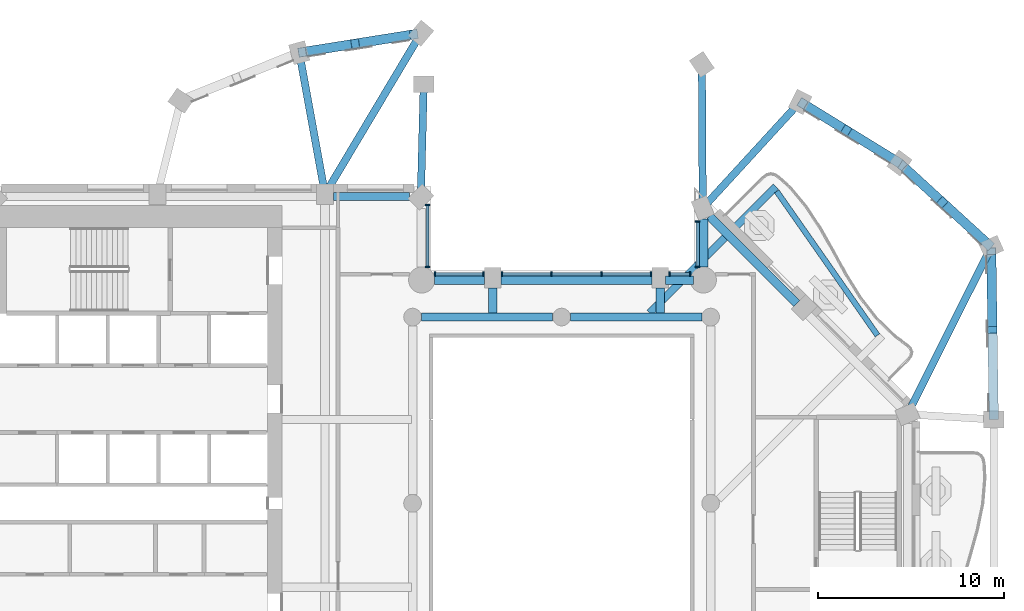
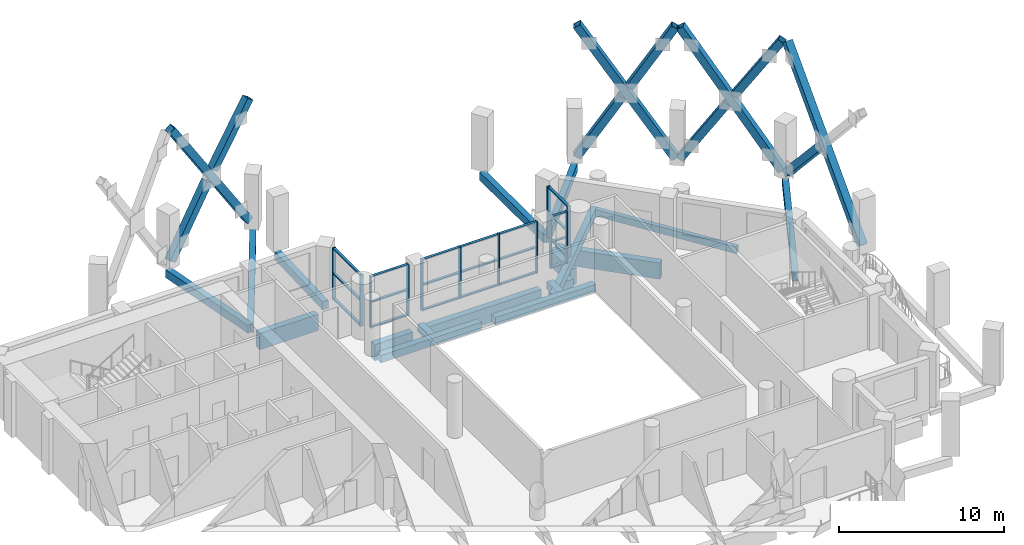
# One storey, part 2 of 16: 44 members, 18 beams, 5 elements without a shape of their own.
"""IFC4 building model written with IfcOpenShell, lengths in metres."""

import ifcopenshell
import ifcopenshell.guid

model = None  # the IFC model being written
_history = None  # IfcOwnerHistory: only IFC2X3 demands one
_inside = {}  # id of a spatial element -> (the spatial element, [elements in it])
_under = {}  # id of a project, library or spatial element -> (it, [spatial elements below it])
_declared = {}  # id of a project -> (the project, [libraries it declares])
_typed = {}  # id of a type object -> (the type object, [elements of that type])
_made_of = {}  # id of a material, layer set ... -> (it, [elements and type objects made of it])


def new_model(schema):
    """Start an empty IFC model of exactly this schema.

    Asked for "IFC4X3", IfcOpenShell would pick the latest addendum, in which some entities
    have other attributes; the version numbers below select the first issue.
    IFC2X3 requires an IfcOwnerHistory on every rooted entity: one is made here for all.
    """
    global model, _history
    if schema == "IFC4X3":
        model = ifcopenshell.file(schema_version=(4, 3, 0, 0))
    else:
        model = ifcopenshell.file(schema=schema)
    _inside.clear()
    _under.clear()
    _declared.clear()
    _typed.clear()
    _made_of.clear()
    _history = None
    if model.schema == "IFC2X3":
        org = make("IfcOrganization", Name="unknown")
        user = make(
            "IfcPersonAndOrganization",
            ThePerson=make("IfcPerson", FamilyName="unknown"),
            TheOrganization=org,
        )
        app = make(
            "IfcApplication",
            ApplicationDeveloper=org,
            Version="unknown",
            ApplicationFullName="unknown",
            ApplicationIdentifier="unknown",
        )
        _history = make(
            "IfcOwnerHistory",
            OwningUser=user,
            OwningApplication=app,
            ChangeAction="ADDED",
            CreationDate=0,
        )
    return model


def make(cls, **values):
    """One entity of the class cls with the attributes given. An attribute that is None is left unset."""
    return model.create_entity(
        cls, **{name: value for name, value in values.items() if value is not None}
    )


def rooted(cls, **values):
    """An entity with a GlobalId (a new one), such as an element, a storey or a relation."""
    return make(cls, GlobalId=ifcopenshell.guid.new(), OwnerHistory=_history, **values)


def si_unit(unit_type, name, prefix=None):
    """IfcSIUnit, for example si_unit("LENGTHUNIT", "METRE", prefix="MILLI")."""
    return make("IfcSIUnit", UnitType=unit_type, Prefix=prefix, Name=name)


def assignment(units):
    """IfcUnitAssignment: the units of a project."""
    return None if units is None else make("IfcUnitAssignment", Units=units)


def point(xyz):
    """IfcCartesianPoint."""
    return None if xyz is None else make("IfcCartesianPoint", Coordinates=xyz)


def direction(xyz):
    """IfcDirection."""
    return None if xyz is None else make("IfcDirection", DirectionRatios=xyz)


def frame(location, z_axis=None, x_axis=None):
    """IfcAxis2Placement3D, a coordinate frame: its origin and axes. An axis left out is left unset."""
    return make(
        "IfcAxis2Placement3D",
        Location=point(location),
        Axis=direction(z_axis),
        RefDirection=direction(x_axis),
    )


def frame_2d(location, x_axis=None):
    """IfcAxis2Placement2D, a coordinate frame in the plane: its origin and x axis."""
    return make(
        "IfcAxis2Placement2D", Location=point(location), RefDirection=direction(x_axis)
    )


def origin():
    """The frame at (0, 0, 0) with its axes left unset."""
    return frame((0.0, 0.0, 0.0))


def origin_2d():
    """The frame at (0, 0) in the plane with its x axis left unset."""
    return frame_2d((0.0, 0.0))


def place(relative_to, where):
    """IfcLocalPlacement: puts the frame where relative to a parent placement (None: the world)."""
    return make(
        "IfcLocalPlacement", PlacementRelTo=relative_to, RelativePlacement=where
    )


def context(
    kind, dimensions, precision=None, world=None, true_north=None, identifier=None
):
    """IfcGeometricRepresentationContext, for example the 3D "Model" context."""
    return make(
        "IfcGeometricRepresentationContext",
        ContextIdentifier=identifier,
        ContextType=kind,
        CoordinateSpaceDimension=dimensions,
        Precision=precision,
        WorldCoordinateSystem=world,
        TrueNorth=true_north,
    )


def subcontext(parent, identifier, kind, view, scale=None):
    """IfcGeometricRepresentationSubContext, for example "Body" below "Model"."""
    return make(
        "IfcGeometricRepresentationSubContext",
        ContextIdentifier=identifier,
        ContextType=kind,
        ParentContext=parent,
        TargetScale=scale,
        TargetView=view,
    )


def project(units=None, contexts=None):
    """IfcProject with its units and contexts."""
    return rooted(
        "IfcProject",
        Name="project",
        RepresentationContexts=contexts,
        UnitsInContext=assignment(units),
    )


def spatial(cls, under=None, at=None, **own):
    """A site, building, storey or space (cls), placed at a placement, below another one or the project."""
    s = rooted(cls, ObjectPlacement=at, **own)
    if under is not None:
        _under.setdefault(under.id(), (under, []))[1].append(s)
    return s


def profile(cls, at=None, kind="AREA", **sizes):
    """A parametric profile (cls). Its sizes go by their IFC names, for example OverallWidth=200.0."""
    return make(cls, ProfileType=kind, Position=at, **sizes)


def rectangle(**sizes):
    """IfcRectangleProfileDef."""
    return profile("IfcRectangleProfileDef", **sizes)


def hollow_rectangle(**sizes):
    """IfcRectangleHollowProfileDef."""
    return profile("IfcRectangleHollowProfileDef", **sizes)


def extrude(swept, where, along, depth):
    """IfcExtrudedAreaSolid: the profile swept, set in the frame where, extruded along a direction by depth."""
    return make(
        "IfcExtrudedAreaSolid",
        SweptArea=swept,
        Position=where,
        ExtrudedDirection=direction(along),
        Depth=depth,
    )


def shape(context_of_items, identifier, shape_type, items):
    """IfcShapeRepresentation: the items that make up one representation, for example the "Body"."""
    return make(
        "IfcShapeRepresentation",
        ContextOfItems=context_of_items,
        RepresentationIdentifier=identifier,
        RepresentationType=shape_type,
        Items=items,
    )


def material(Name=None, Category=None):
    """IfcMaterial."""
    return make("IfcMaterial", Name=Name, Category=Category)


def material_profile(
    of_material, cross_section, Name=None, Category=None, Priority=None
):
    """IfcMaterialProfile: a cross section and its material."""
    return make(
        "IfcMaterialProfile",
        Name=Name,
        Material=of_material,
        Profile=cross_section,
        Priority=Priority,
        Category=Category,
    )


def profile_set(profiles, Name=None, composite=None):
    """IfcMaterialProfileSet."""
    return make(
        "IfcMaterialProfileSet",
        Name=Name,
        MaterialProfiles=profiles,
        CompositeProfile=composite,
    )


def made_of(thing, what):
    """Note that an element or type object is made of a material, layer set ...; save() writes the relation."""
    if what is not None:
        _made_of.setdefault(what.id(), (what, []))[1].append(thing)
    return thing


def type_object(cls, material=None, **own):
    """A type object (cls), such as IfcWallType, which elements share."""
    return made_of(rooted(cls, **own), material)


def element(
    cls,
    number,
    at=None,
    inside=None,
    cuts=None,
    type_object=None,
    material=None,
    context=None,
    identifier="Body",
    shape_type=None,
    held_by="IfcProductDefinitionShape",
    body=None,
    shapes=None,
    **own,
):
    """One element of the class cls, such as IfcWall. Its Tag is "e" and its number.

    at: its placement. inside: the storey or other place that contains it. cuts: it is an
    opening in that element (IfcRelVoidsElement). A single representation is given by context,
    identifier, shape_type and body (its items); several are given by shapes. held_by: the class
    of the entity that holds the representations. save() writes the other relations.
    """
    e = rooted(cls, Tag="e%d" % number, ObjectPlacement=at, **own)
    if body is not None:
        shapes = [shape(context, identifier, shape_type, body)]
    if shapes is not None:
        e.Representation = make(held_by, Representations=shapes)
    if inside is not None:
        _inside.setdefault(inside.id(), (inside, []))[1].append(e)
    if cuts is not None:
        rooted(
            "IfcRelVoidsElement", RelatingBuildingElement=cuts, RelatedOpeningElement=e
        )
    if type_object is not None:
        _typed.setdefault(type_object.id(), (type_object, []))[1].append(e)
    return made_of(e, material)


def aggregate(whole, parts):
    """IfcRelAggregates: a whole, such as a stair, and the parts it consists of."""
    return rooted("IfcRelAggregates", RelatingObject=whole, RelatedObjects=parts)


def save(model, path):
    """Write the relations noted so far, then the file.

    IfcRelAggregates (storeys below a building ...), IfcRelContainedInSpatialStructure (elements
    in a storey), IfcRelDefinesByType, IfcRelAssociatesMaterial and IfcRelDeclares: one each for
    every whole, place, type object, material and project.
    """
    for whole, parts in _under.values():
        aggregate(whole, parts)
    for where, things in _inside.values():
        rooted(
            "IfcRelContainedInSpatialStructure",
            RelatedElements=things,
            RelatingStructure=where,
        )
    for kind, things in _typed.values():
        rooted("IfcRelDefinesByType", RelatedObjects=things, RelatingType=kind)
    for what, things in _made_of.values():
        rooted("IfcRelAssociatesMaterial", RelatedObjects=things, RelatingMaterial=what)
    for by, libraries in _declared.values():
        rooted("IfcRelDeclares", RelatingContext=by, RelatedDefinitions=libraries)
    model.write(path)


model = new_model("IFC4")

# Units and contexts
model_context = context("Model", 3, precision=1e-05, world=origin(), true_north=direction((0.0, 1.0)))
body_context = subcontext(model_context, "Body", "Model", "MODEL_VIEW")
ifc_project = project(units=[si_unit("LENGTHUNIT", "METRE"), si_unit("AREAUNIT", "SQUARE_METRE"), si_unit("VOLUMEUNIT", "CUBIC_METRE"), si_unit("PLANEANGLEUNIT", "RADIAN"), si_unit("MASSUNIT", "GRAM", prefix="KILO")], contexts=[model_context])

# Site, building, storey
site_placement = place(None, origin())
site = spatial("IfcSite", under=ifc_project, at=site_placement, CompositionType="ELEMENT")
building_placement = place(site_placement, origin())
building = spatial("IfcBuilding", under=site, at=building_placement, Name="Cypress Arch Tower", CompositionType="ELEMENT")
storey_placement = place(building_placement, frame((0.0, 0.0, 230.199951171875)))
storey = spatial("IfcBuildingStorey", under=building, at=storey_placement, Name="L51", CompositionType="ELEMENT", Elevation=230.199951171875)

# Beams
ifc_material_1 = material(Name="Concrete C50/60", Category="concrete")
ifc_material_profile_1 = material_profile(ifc_material_1, rectangle(XDim=0.300048828125, YDim=0.5, at=origin_2d()), Name="RC 300x500")
ifc_profile_set_1 = profile_set([ifc_material_profile_1], Name="Concrete C50/60")
beam_type_1 = type_object("IfcBeamType", Name="Balcony edge beam RC 300x500 Concrete C50/60", PredefinedType="BEAM", material=ifc_profile_set_1)
beam_1_placement = place(storey_placement, frame((17.95849609375, 9.01708984375, -0.550048828125), z_axis=(-0.573354712253, 0.819307252462, 0.0), x_axis=(-0.819307252462, -0.573354712253, 0.0)))
element("IfcBeam", 1, at=beam_1_placement, inside=storey, type_object=beam_type_1, Name="Balcony edge beam L51 B05", PredefinedType="BEAM", context=body_context, shape_type="SweptSolid", body=[
    extrude(rectangle(XDim=0.300048828125, YDim=0.5, at=origin_2d()), origin(), (0.0, 0.0, 1.0), 9.43896484375),
])
ifc_material_2 = material(Name="Concrete C50/60", Category="concrete")
ifc_material_profile_2 = material_profile(ifc_material_2, rectangle(XDim=0.39990234375, YDim=0.64990234375, at=origin_2d()), Name="RC 400x650")
ifc_profile_set_2 = profile_set([ifc_material_profile_2], Name="Concrete C50/60")
beam_type_2 = type_object("IfcBeamType", Name="Cantilever beam RC 400x650 Concrete C50/60", PredefinedType="BEAM", material=ifc_profile_set_2)
beam_2_placement = place(storey_placement, frame((5.738037109375, 10.22509765625, -0.625), z_axis=(0.707119525179, 0.707094036965, 0.0), x_axis=(-0.707094036965, 0.707119525179, 0.0)))
element("IfcBeam", 2, at=beam_2_placement, inside=storey, type_object=beam_type_2, Name="Cantilever beam L51 B05 2", PredefinedType="BEAM", context=body_context, shape_type="SweptSolid", body=[
    extrude(rectangle(XDim=0.39990234375, YDim=0.64990234375, at=origin_2d()), origin(), (0.0, 0.0, 1.0), 9.57861328125),
])

# Members
ifc_material_3 = material(Name="Steel ASTM A500 Grade C", Category="steel")
ifc_material_profile_3 = material_profile(ifc_material_3, hollow_rectangle(XDim=0.508056640625, YDim=0.508056640625, WallThickness=0.017578125, at=origin_2d()), Name="HSS 20x20x3/4")
ifc_profile_set_3 = profile_set([ifc_material_profile_3], Name="Steel ASTM A500 Grade C")
member_type_1 = type_object("IfcMemberType", Name="Exoskeleton brace HSS 20x20x3/4 Steel ASTM A500 Grade C", PredefinedType="BRACE", material=ifc_profile_set_3)
member_1_placement = place(storey_placement, frame((-6.93701171875, 25.174560546875, 0.607177734375), z_axis=(-0.537374045321, -0.085818553953, 0.838966215775), x_axis=(0.157701497605, -0.987486829104, 0.0)))
element("IfcMember", 3, at=member_1_placement, inside=storey, type_object=member_type_1, Name="Exoskeleton brace L51 CQ02-CQ03a", PredefinedType="BRACE", context=body_context, shape_type="SweptSolid", body=[
    extrude(hollow_rectangle(XDim=0.508056640625, YDim=0.508056640625, WallThickness=0.017578125, at=origin_2d()), origin(), (0.0, 0.0, 1.0), 11.140380859375),
])
member_2_placement = place(storey_placement, frame((-6.93701171875, 25.174560546875, 9.593017578125), z_axis=(-0.552286885126, -0.088201483358, -0.828975086991), x_axis=(0.157703853353, -0.987486452888, 0.0)))
element("IfcMember", 4, at=member_2_placement, inside=storey, type_object=member_type_1, Name="Exoskeleton brace L51 CQ02-CQ03b1", PredefinedType="BRACE", context=body_context, shape_type="SweptSolid", body=[
    extrude(hollow_rectangle(XDim=0.508056640625, YDim=0.508056640625, WallThickness=0.017578125, at=origin_2d()), origin(), (0.0, 0.0, 1.0), 4.9296875),
])
member_3_placement = place(storey_placement, frame((-12.923583984375, 24.218505859375, 0.246337890625), z_axis=(0.523074798955, 0.083546357183, 0.848182032879), x_axis=(-0.157722466667, 0.987483480119, 0.0)))
element("IfcMember", 5, at=member_3_placement, inside=storey, type_object=member_type_1, Name="Exoskeleton brace L51 CQ02-CQ03b2", PredefinedType="BRACE", context=body_context, shape_type="SweptSolid", body=[
    extrude(hollow_rectangle(XDim=0.508056640625, YDim=0.508056640625, WallThickness=0.017578125, at=origin_2d()), origin(), (0.0, 0.0, 1.0), 5.432373046875),
])
member_4_placement = place(storey_placement, frame((24.197265625, 4.681884765625, 0.200439453125), z_axis=(-0.009876551134, 0.672105790186, 0.740389262845), x_axis=(-0.999892046921, -0.014693348984, 0.0)))
element("IfcMember", 6, at=member_4_placement, inside=storey, type_object=member_type_1, Name="Exoskeleton brace L51 CQ14-CQ15a", PredefinedType="BRACE", context=body_context, shape_type="SweptSolid", body=[
    extrude(hollow_rectangle(XDim=0.508056640625, YDim=0.508056640625, WallThickness=0.017578125, at=origin_2d()), origin(), (0.0, 0.0, 1.0), 13.17529296875),
])
member_5_placement = place(storey_placement, frame((24.067138671875, 13.537109375, 0.24462890625), z_axis=(0.009916980419, -0.673771316684, 0.738873376374), x_axis=(0.999891698787, 0.014717020675, 0.0)))
element("IfcMember", 7, at=member_5_placement, inside=storey, type_object=member_type_1, Name="Exoskeleton brace L51 CQ14-CQ15b2", PredefinedType="BRACE", context=body_context, shape_type="SweptSolid", body=[
    extrude(hollow_rectangle(XDim=0.508056640625, YDim=0.508056640625, WallThickness=0.017578125, at=origin_2d()), origin(), (0.0, 0.0, 1.0), 6.277587890625),
])
member_6_placement = place(storey_placement, frame((23.918212890625, 13.892578125, 0.302001953125), z_axis=(-0.404044554817, 0.369809946015, 0.83665321463), x_axis=(-0.675164671812, -0.737667042735, 0.0)))
element("IfcMember", 8, at=member_6_placement, inside=storey, type_object=member_type_1, Name="Exoskeleton brace L51 CQ15-CQ16a", PredefinedType="BRACE", context=body_context, shape_type="SweptSolid", body=[
    extrude(hollow_rectangle(XDim=0.508056640625, YDim=0.508056640625, WallThickness=0.017578125, at=origin_2d()), origin(), (0.0, 0.0, 1.0), 11.53857421875),
])
member_7_placement = place(storey_placement, frame((23.918212890625, 13.892578125, 9.898193359375), z_axis=(-0.405719385643, 0.37134955597, -0.835159438307), x_axis=(-0.675171287783, -0.737660987279, 0.0)))
element("IfcMember", 9, at=member_7_placement, inside=storey, type_object=member_type_1, Name="Exoskeleton brace L51 CQ15-CQ16b1", PredefinedType="BRACE", context=body_context, shape_type="SweptSolid", body=[
    extrude(hollow_rectangle(XDim=0.508056640625, YDim=0.508056640625, WallThickness=0.017578125, at=origin_2d()), origin(), (0.0, 0.0, 1.0), 5.341796875),
])
member_8_placement = place(storey_placement, frame((19.256103515625, 18.15966796875, 0.244140625), z_axis=(0.402348521797, -0.368264162912, 0.838151044456), x_axis=(0.67517120176, 0.737661066014, 0.0)))
element("IfcMember", 10, at=member_8_placement, inside=storey, type_object=member_type_1, Name="Exoskeleton brace L51 CQ15-CQ16b2", PredefinedType="BRACE", context=body_context, shape_type="SweptSolid", body=[
    extrude(hollow_rectangle(XDim=0.508056640625, YDim=0.508056640625, WallThickness=0.017578125, at=origin_2d()), origin(), (0.0, 0.0, 1.0), 5.42236328125),
])
member_9_placement = place(storey_placement, frame((19.006103515625, 18.348876953125, 0.2529296875), z_axis=(-0.445732910596, 0.274156857625, 0.852150332881), x_axis=(-0.523902922449, -0.851777980373, 0.0)))
element("IfcMember", 11, at=member_9_placement, inside=storey, type_object=member_type_1, Name="Exoskeleton brace L51 CQ16-CQ17a", PredefinedType="BRACE", context=body_context, shape_type="SweptSolid", body=[
    extrude(hollow_rectangle(XDim=0.508056640625, YDim=0.508056640625, WallThickness=0.017578125, at=origin_2d()), origin(), (0.0, 0.0, 1.0), 11.376220703125),
])
for number, where, z_axis, x_axis, name in (
    (12, (19.006103515625, 18.348876953125, 9.947265625), (-0.445740318857, 0.27417356961, -0.852141080968), (-0.52391977471, -0.851767614827, 0.0), "Exoskeleton brace L51 CQ16-CQ17b1"),
    (13, (13.935302734375, 21.4677734375, 0.252685546875), (0.445728395097, -0.274119954746, 0.852164566392), (0.523855606168, 0.851807081378, 0.0), "Exoskeleton brace L51 CQ16-CQ17b2"),
):
    element("IfcMember", number, at=place(storey_placement, frame(where, z_axis=z_axis, x_axis=x_axis)), inside=storey, type_object=member_type_1, Name=name, PredefinedType="BRACE", context=body_context, shape_type="SweptSolid", body=[
        extrude(hollow_rectangle(XDim=0.508056640625, YDim=0.508056640625, WallThickness=0.017578125, at=origin_2d()), origin(), (0.0, 0.0, 1.0), 5.275146484375),
    ])

# Beams
ifc_material_4 = material(Name="Concrete C50/60", Category="concrete")
ifc_material_profile_4 = material_profile(ifc_material_4, rectangle(XDim=0.449951171875, YDim=0.550048828125, at=origin_2d()), Name="RC 450x550")
ifc_profile_set_4 = profile_set([ifc_material_profile_4], Name="Concrete C50/60")
beam_type_3 = type_object("IfcBeamType", Name="Floor beam RC 450x550 Concrete C50/60", PredefinedType="BEAM", material=ifc_profile_set_4)
for number, where, z_axis, x_axis, name in (
    (14, (-6.52490234375, 10.0, -0.574951171875), (1.0, 0.0, 0.0), (0.0, 1.0, 0.0), "Floor beam L51 RB007"),
    (15, (1.47509765625, 10.0, -0.574951171875), (1.0, 0.0, 0.0), (0.0, 1.0, 0.0), "Floor beam L51 RB008"),
):
    element("IfcBeam", number, at=place(storey_placement, frame(where, z_axis=z_axis, x_axis=x_axis)), inside=storey, type_object=beam_type_3, Name=name, PredefinedType="BEAM", context=body_context, shape_type="SweptSolid", body=[
        extrude(rectangle(XDim=0.449951171875, YDim=0.550048828125, at=origin_2d()), origin(), (0.0, 0.0, 1.0), 7.0498046875),
    ])
for number, where, z_axis, x_axis, name in (
    (16, (-2.699951171875, 10.22509765625, -0.574951171875), (0.0, 1.0, 0.0), (-1.0, 0.0, 0.0), "Floor beam L51 FB015"),
    (17, (6.300048828125, 10.22509765625, -0.574951171875), (0.0, 1.0, 0.0), (-1.0, 0.0, 0.0), "Floor beam L51 FB017"),
):
    element("IfcBeam", number, at=place(storey_placement, frame(where, z_axis=z_axis, x_axis=x_axis)), inside=storey, type_object=beam_type_3, Name=name, PredefinedType="BEAM", context=body_context, shape_type="SweptSolid", body=[
        extrude(rectangle(XDim=0.449951171875, YDim=0.550048828125, at=origin_2d()), origin(), (0.0, 0.0, 1.0), 1.324951171875),
    ])

# Curtain wall, members
ifc_material_5 = material(Name="Anodised aluminium, bronze finish, clear laminated double glazing", Category="aluminium")
curtain_wall_type = type_object("IfcCurtainWallType", Name="Curtain wall CW7 slot glazing", PredefinedType="NOTDEFINED", material=ifc_material_5)
curtain_wall_1_placement = place(storey_placement, origin())
curtain_wall_1 = element("IfcCurtainWall", 18, at=curtain_wall_1_placement, inside=storey, type_object=curtain_wall_type, Name="Curtain wall L51 slot B06.0", PredefinedType="NOTDEFINED")
ifc_material_6 = material(Name="Anodised aluminium, bronze finish", Category="aluminium")
ifc_material_profile_5 = material_profile(ifc_material_6, rectangle(XDim=0.239990234375, YDim=0.0849609375, at=origin_2d()), Name="Mullion 85x240")
ifc_profile_set_5 = profile_set([ifc_material_profile_5], Name="Anodised aluminium, bronze finish")
member_type_2 = type_object("IfcMemberType", Name="Mullion CW7 85x240", PredefinedType="MULLION", material=ifc_profile_set_5)
member_10_placement = place(storey_placement, frame((8.300048828125, 15.12744140625, 0.0), z_axis=(0.0, 0.0, 1.0), x_axis=(1.0, 0.0, 0.0)))
member_10 = element("IfcMember", 19, at=member_10_placement, type_object=member_type_2, Name="CW7 mullion 1", PredefinedType="MULLION", context=body_context, shape_type="SweptSolid", body=[
    extrude(rectangle(XDim=0.239990234375, YDim=0.0849609375, at=origin_2d()), origin(), (0.0, 0.0, 1.0), 3.800048828125),
])
member_11_placement = place(storey_placement, frame((8.300048828125, 12.697021484375, 0.0), z_axis=(0.0, 0.0, 1.0), x_axis=(1.0, 0.0, 0.0)))
member_11 = element("IfcMember", 20, at=member_11_placement, type_object=member_type_2, Name="CW7 mullion 2", PredefinedType="MULLION", context=body_context, shape_type="SweptSolid", body=[
    extrude(rectangle(XDim=0.239990234375, YDim=0.0849609375, at=origin_2d()), origin(), (0.0, 0.0, 1.0), 3.800048828125),
])

curtain_wall_2_placement = place(storey_placement, origin())
curtain_wall_2 = element("IfcCurtainWall", 21, at=curtain_wall_2_placement, inside=storey, type_object=curtain_wall_type, Name="Curtain wall L51 slot B07.0", PredefinedType="NOTDEFINED")
member_12_placement = place(storey_placement, frame((7.903076171875, 12.300048828125, 0.0), z_axis=(0.0, 0.0, 1.0), x_axis=(0.0, -1.0, 0.0)))
member_12 = element("IfcMember", 22, at=member_12_placement, type_object=member_type_2, Name="CW7 mullion 1", PredefinedType="MULLION", context=body_context, shape_type="SweptSolid", body=[
    extrude(rectangle(XDim=0.239990234375, YDim=0.0849609375, at=origin_2d()), origin(), (0.0, 0.0, 1.0), 3.800048828125),
])
member_13_placement = place(storey_placement, frame((6.79248046875, 12.300048828125, 0.0), z_axis=(0.0, 0.0, 1.0), x_axis=(0.0, -1.0, 0.0)))
member_13 = element("IfcMember", 23, at=member_13_placement, type_object=member_type_2, Name="CW7 mullion 2", PredefinedType="MULLION", context=body_context, shape_type="SweptSolid", body=[
    extrude(rectangle(XDim=0.239990234375, YDim=0.0849609375, at=origin_2d()), origin(), (0.0, 0.0, 1.0), 3.800048828125),
])

curtain_wall_3_placement = place(storey_placement, origin())
curtain_wall_3 = element("IfcCurtainWall", 24, at=curtain_wall_3_placement, inside=storey, type_object=curtain_wall_type, Name="Curtain wall L51 slot B07.1", PredefinedType="NOTDEFINED")
member_14_placement = place(storey_placement, frame((5.8076171875, 12.300048828125, 0.0), z_axis=(0.0, 0.0, 1.0), x_axis=(0.0, -1.0, 0.0)))
member_14 = element("IfcMember", 25, at=member_14_placement, type_object=member_type_2, Name="CW7 mullion 1", PredefinedType="MULLION", context=body_context, shape_type="SweptSolid", body=[
    extrude(rectangle(XDim=0.239990234375, YDim=0.0849609375, at=origin_2d()), origin(), (0.0, 0.0, 1.0), 3.800048828125),
])
member_15_placement = place(storey_placement, frame((3.14990234375, 12.300048828125, 0.0), z_axis=(0.0, 0.0, 1.0), x_axis=(0.0, -1.0, 0.0)))
member_15 = element("IfcMember", 26, at=member_15_placement, type_object=member_type_2, Name="CW7 mullion 2", PredefinedType="MULLION", context=body_context, shape_type="SweptSolid", body=[
    extrude(rectangle(XDim=0.239990234375, YDim=0.0849609375, at=origin_2d()), origin(), (0.0, 0.0, 1.0), 3.800048828125),
])
member_16_placement = place(storey_placement, frame((0.449951171875, 12.300048828125, 0.0), z_axis=(0.0, 0.0, 1.0), x_axis=(0.0, -1.0, 0.0)))
member_16 = element("IfcMember", 27, at=member_16_placement, type_object=member_type_2, Name="CW7 mullion 3", PredefinedType="MULLION", context=body_context, shape_type="SweptSolid", body=[
    extrude(rectangle(XDim=0.239990234375, YDim=0.0849609375, at=origin_2d()), origin(), (0.0, 0.0, 1.0), 3.800048828125),
])
member_17_placement = place(storey_placement, frame((-2.20751953125, 12.300048828125, 0.0), z_axis=(0.0, 0.0, 1.0), x_axis=(0.0, -1.0, 0.0)))
member_17 = element("IfcMember", 28, at=member_17_placement, type_object=member_type_2, Name="CW7 mullion 4", PredefinedType="MULLION", context=body_context, shape_type="SweptSolid", body=[
    extrude(rectangle(XDim=0.239990234375, YDim=0.0849609375, at=origin_2d()), origin(), (0.0, 0.0, 1.0), 3.800048828125),
])

curtain_wall_4_placement = place(storey_placement, origin())
curtain_wall_4 = element("IfcCurtainWall", 29, at=curtain_wall_4_placement, inside=storey, type_object=curtain_wall_type, Name="Curtain wall L51 slot B07.2", PredefinedType="NOTDEFINED")
member_18_placement = place(storey_placement, frame((-3.1923828125, 12.300048828125, 0.0), z_axis=(0.0, 0.0, 1.0), x_axis=(0.0, -1.0, 0.0)))
member_18 = element("IfcMember", 30, at=member_18_placement, type_object=member_type_2, Name="CW7 mullion 1", PredefinedType="MULLION", context=body_context, shape_type="SweptSolid", body=[
    extrude(rectangle(XDim=0.239990234375, YDim=0.0849609375, at=origin_2d()), origin(), (0.0, 0.0, 1.0), 3.800048828125),
])
member_19_placement = place(storey_placement, frame((-5.802978515625, 12.300048828125, 0.0), z_axis=(0.0, 0.0, 1.0), x_axis=(0.0, -1.0, 0.0)))
member_19 = element("IfcMember", 31, at=member_19_placement, type_object=member_type_2, Name="CW7 mullion 2", PredefinedType="MULLION", context=body_context, shape_type="SweptSolid", body=[
    extrude(rectangle(XDim=0.239990234375, YDim=0.0849609375, at=origin_2d()), origin(), (0.0, 0.0, 1.0), 3.800048828125),
])

curtain_wall_5_placement = place(storey_placement, origin())
curtain_wall_5 = element("IfcCurtainWall", 32, at=curtain_wall_5_placement, inside=storey, type_object=curtain_wall_type, Name="Curtain wall L51 slot B08.0", PredefinedType="NOTDEFINED")
member_20_placement = place(storey_placement, frame((-6.199951171875, 12.697021484375, 0.0), z_axis=(0.0, 0.0, 1.0), x_axis=(-1.0, 0.0, 0.0)))
member_20 = element("IfcMember", 33, at=member_20_placement, type_object=member_type_2, Name="CW7 mullion 1", PredefinedType="MULLION", context=body_context, shape_type="SweptSolid", body=[
    extrude(rectangle(XDim=0.239990234375, YDim=0.0849609375, at=origin_2d()), origin(), (0.0, 0.0, 1.0), 3.800048828125),
])
member_21_placement = place(storey_placement, frame((-6.199951171875, 16.02099609375, 0.0), z_axis=(0.0, 0.0, 1.0), x_axis=(-1.0, 0.0, 0.0)))
member_21 = element("IfcMember", 34, at=member_21_placement, type_object=member_type_2, Name="CW7 mullion 2", PredefinedType="MULLION", context=body_context, shape_type="SweptSolid", body=[
    extrude(rectangle(XDim=0.239990234375, YDim=0.0849609375, at=origin_2d()), origin(), (0.0, 0.0, 1.0), 3.800048828125),
])

# Beams
ifc_material_7 = material(Name="Concrete C50/60", Category="concrete")
ifc_material_profile_6 = material_profile(ifc_material_7, rectangle(XDim=0.39990234375, YDim=0.60009765625, at=origin_2d()), Name="RC 400x600")
ifc_profile_set_6 = profile_set([ifc_material_profile_6], Name="Concrete C50/60")
beam_type_4 = type_object("IfcBeamType", Name="Pilotis tie beam RC 400x600 Concrete C50/60", PredefinedType="BEAM", material=ifc_profile_set_6)
beam_3_placement = place(storey_placement, frame((8.53076171875, 23.564697265625, -0.599853515625), z_axis=(0.005886346529, -0.999982675312, 0.0), x_axis=(0.999982675312, 0.005886346529, 0.0)))
element("IfcBeam", 35, at=beam_3_placement, inside=storey, type_object=beam_type_4, Name="Pilotis tie beam L51 CQ00-CB12", PredefinedType="BEAM", context=body_context, shape_type="SweptSolid", body=[
    extrude(rectangle(XDim=0.39990234375, YDim=0.60009765625, at=origin_2d()), origin(), (0.0, 0.0, 1.0), 7.714599609375),
])
beam_4_placement = place(storey_placement, frame((-6.39990234375, 22.5, -0.599853515625), z_axis=(-0.02594853496, -0.999663280077, 0.0), x_axis=(0.999663280077, -0.02594853496, 0.0)))
element("IfcBeam", 36, at=beam_4_placement, inside=storey, type_object=beam_type_4, Name="Pilotis tie beam L51 CQ01-CB17", PredefinedType="BEAM", context=body_context, shape_type="SweptSolid", body=[
    extrude(rectangle(XDim=0.39990234375, YDim=0.60009765625, at=origin_2d()), origin(), (0.0, 0.0, 1.0), 6.05908203125),
])
beam_5_placement = place(storey_placement, frame((-6.54833984375, 25.236572265625, -0.599853515625), z_axis=(-0.51228050024, -0.85881819326, 0.0), x_axis=(0.85881819326, -0.51228050024, 0.0)))
element("IfcBeam", 37, at=beam_5_placement, inside=storey, type_object=beam_type_4, Name="Pilotis tie beam L51 CQ02-CB18", PredefinedType="BEAM", context=body_context, shape_type="SweptSolid", body=[
    extrude(rectangle(XDim=0.39990234375, YDim=0.60009765625, at=origin_2d()), origin(), (0.0, 0.0, 1.0), 10.05615234375),
])
beam_6_placement = place(storey_placement, frame((-13.081298828125, 24.193359375, -0.599853515625), z_axis=(0.178980083609, -0.983852697141, 0.0), x_axis=(0.983852697141, 0.178980083609, 0.0)))
element("IfcBeam", 38, at=beam_6_placement, inside=storey, type_object=beam_type_4, Name="Pilotis tie beam L51 CQ03-CB18", PredefinedType="BEAM", context=body_context, shape_type="SweptSolid", body=[
    extrude(rectangle(XDim=0.39990234375, YDim=0.60009765625, at=origin_2d()), origin(), (0.0, 0.0, 1.0), 7.7177734375),
])
beam_7_placement = place(storey_placement, frame((24.06396484375, 13.75927734375, -0.599853515625), z_axis=(-0.447602582549, -0.894232591721, 0.0), x_axis=(0.894232591721, -0.447602582549, 0.0)))
element("IfcBeam", 39, at=beam_7_placement, inside=storey, type_object=beam_type_4, Name="Pilotis tie beam L51 CQ15-CB10", PredefinedType="BEAM", context=body_context, shape_type="SweptSolid", body=[
    extrude(rectangle(XDim=0.39990234375, YDim=0.60009765625, at=origin_2d()), origin(), (0.0, 0.0, 1.0), 10.041015625),
])
beam_8_placement = place(storey_placement, frame((13.80322265625, 21.549072265625, -0.599853515625), z_axis=(-0.675950483499, -0.736947042776, 0.0), x_axis=(0.736947042776, -0.675950483499, 0.0)))
element("IfcBeam", 40, at=beam_8_placement, inside=storey, type_object=beam_type_4, Name="Pilotis tie beam L51 CQ17-CB12", PredefinedType="BEAM", context=body_context, shape_type="SweptSolid", body=[
    extrude(rectangle(XDim=0.39990234375, YDim=0.60009765625, at=origin_2d()), origin(), (0.0, 0.0, 1.0), 7.73291015625),
])
ifc_material_8 = material(Name="Concrete C50/60", Category="concrete")
ifc_material_profile_7 = material_profile(ifc_material_8, rectangle(XDim=0.449951171875, YDim=1.199951171875, at=origin_2d()), Name="RC 450x1200")
ifc_profile_set_7 = profile_set([ifc_material_profile_7], Name="Concrete C50/60")
beam_type_5 = type_object("IfcBeamType", Name="Spandrel beam RC 450x1200 Concrete C50/60", PredefinedType="SPANDREL", material=ifc_profile_set_7)
beam_9_placement = place(storey_placement, frame((13.622802734375, 10.73486328125, -1.550048828125), z_axis=(-0.707106781187, 0.707106781187, 0.0), x_axis=(-0.707106781187, -0.707106781187, 0.0)))
element("IfcBeam", 41, at=beam_9_placement, inside=storey, type_object=beam_type_5, Name="Spandrel beam L51 BB05-1", PredefinedType="SPANDREL", context=body_context, shape_type="SweptSolid", body=[
    extrude(rectangle(XDim=0.449951171875, YDim=1.199951171875, at=origin_2d()), origin(), (0.0, 0.0, 1.0), 6.610595703125),
])
beam_10_placement = place(storey_placement, frame((8.625, 15.275146484375, -1.550048828125), z_axis=(0.0, -1.0, 0.0), x_axis=(1.0, 0.0, 0.0)))
element("IfcBeam", 42, at=beam_10_placement, inside=storey, type_object=beam_type_5, Name="Spandrel beam L51 BB06-0", PredefinedType="SPANDREL", context=body_context, shape_type="SweptSolid", body=[
    extrude(rectangle(XDim=0.449951171875, YDim=1.199951171875, at=origin_2d()), origin(), (0.0, 0.0, 1.0), 2.587646484375),
])
beam_11_placement = place(storey_placement, frame((8.081298828125, 11.97509765625, -1.550048828125), z_axis=(-1.0, 0.0, 0.0), x_axis=(0.0, -1.0, 0.0)))
element("IfcBeam", 43, at=beam_11_placement, inside=storey, type_object=beam_type_5, Name="Spandrel beam L51 BB07-0", PredefinedType="SPANDREL", context=body_context, shape_type="SweptSolid", body=[
    extrude(rectangle(XDim=0.449951171875, YDim=1.199951171875, at=origin_2d()), origin(), (0.0, 0.0, 1.0), 1.5),
])
beam_12_placement = place(storey_placement, frame((5.85009765625, 11.97509765625, -1.550048828125), z_axis=(-1.0, 0.0, 0.0), x_axis=(0.0, -1.0, 0.0)))
element("IfcBeam", 44, at=beam_12_placement, inside=storey, type_object=beam_type_5, Name="Spandrel beam L51 BB07-1", PredefinedType="SPANDREL", context=body_context, shape_type="SweptSolid", body=[
    extrude(rectangle(XDim=0.449951171875, YDim=1.199951171875, at=origin_2d()), origin(), (0.0, 0.0, 1.0), 8.10009765625),
])
beam_13_placement = place(storey_placement, frame((-3.14990234375, 11.97509765625, -1.550048828125), z_axis=(-1.0, 0.0, 0.0), x_axis=(0.0, -1.0, 0.0)))
element("IfcBeam", 45, at=beam_13_placement, inside=storey, type_object=beam_type_5, Name="Spandrel beam L51 BB07-2", PredefinedType="SPANDREL", context=body_context, shape_type="SweptSolid", body=[
    extrude(rectangle(XDim=0.449951171875, YDim=1.199951171875, at=origin_2d()), origin(), (0.0, 0.0, 1.0), 2.66259765625),
])
beam_14_placement = place(storey_placement, frame((-7.161376953125, 16.47509765625, -1.550048828125), z_axis=(-1.0, 0.0, 0.0), x_axis=(0.0, -1.0, 0.0)))
element("IfcBeam", 46, at=beam_14_placement, inside=storey, type_object=beam_type_5, Name="Spandrel beam L51 BB09-0", PredefinedType="SPANDREL", context=body_context, shape_type="SweptSolid", body=[
    extrude(rectangle(XDim=0.449951171875, YDim=1.199951171875, at=origin_2d()), origin(), (0.0, 0.0, 1.0), 4.088623046875),
])

# Member
ifc_material_9 = material(Name="Anodised aluminium, bronze finish", Category="aluminium")
ifc_material_profile_8 = material_profile(ifc_material_9, rectangle(XDim=0.179931640625, YDim=0.0849609375, at=origin_2d()), Name="Transom 85x180")
ifc_profile_set_8 = profile_set([ifc_material_profile_8], Name="Anodised aluminium, bronze finish")
member_type_3 = type_object("IfcMemberType", Name="Transom CW7 85x180", PredefinedType="USERDEFINED", material=ifc_profile_set_8)
member_22_placement = place(storey_placement, frame((8.300048828125, 15.0849609375, 0.04248046875), z_axis=(0.0, -1.0, 0.0), x_axis=(1.0, 0.0, 0.0)))
member_22 = element("IfcMember", 47, at=member_22_placement, type_object=member_type_3, Name="CW7 transom 1.1", ObjectType="TRANSOM", PredefinedType="USERDEFINED", context=body_context, shape_type="SweptSolid", body=[
    extrude(rectangle(XDim=0.179931640625, YDim=0.0849609375, at=origin_2d()), origin(), (0.0, 0.0, 1.0), 2.345458984375),
])

member_23_placement = place(storey_placement, frame((8.300048828125, 15.0849609375, 1.900146484375), z_axis=(0.0, -1.0, 0.0), x_axis=(1.0, 0.0, 0.0)))
member_23 = element("IfcMember", 48, at=member_23_placement, type_object=member_type_3, Name="CW7 transom 1.2", ObjectType="TRANSOM", PredefinedType="USERDEFINED", context=body_context, shape_type="SweptSolid", body=[
    extrude(rectangle(XDim=0.179931640625, YDim=0.0849609375, at=origin_2d()), origin(), (0.0, 0.0, 1.0), 2.345458984375),
])

member_24_placement = place(storey_placement, frame((8.300048828125, 15.0849609375, 3.757568359375), z_axis=(0.0, -1.0, 0.0), x_axis=(1.0, 0.0, 0.0)))
member_24 = element("IfcMember", 49, at=member_24_placement, type_object=member_type_3, Name="CW7 transom 1.3", ObjectType="TRANSOM", PredefinedType="USERDEFINED", context=body_context, shape_type="SweptSolid", body=[
    extrude(rectangle(XDim=0.179931640625, YDim=0.0849609375, at=origin_2d()), origin(), (0.0, 0.0, 1.0), 2.345458984375),
])

aggregate(curtain_wall_1, [member_10, member_11, member_22, member_23, member_24])

member_25_placement = place(storey_placement, frame((7.8603515625, 12.300048828125, 0.04248046875), z_axis=(-1.0, 0.0, 0.0), x_axis=(0.0, -1.0, 0.0)))
member_25 = element("IfcMember", 50, at=member_25_placement, type_object=member_type_3, Name="CW7 transom 1.1", ObjectType="TRANSOM", PredefinedType="USERDEFINED", context=body_context, shape_type="SweptSolid", body=[
    extrude(rectangle(XDim=0.179931640625, YDim=0.0849609375, at=origin_2d()), origin(), (0.0, 0.0, 1.0), 1.025390625),
])

member_26_placement = place(storey_placement, frame((7.8603515625, 12.300048828125, 1.900146484375), z_axis=(-1.0, 0.0, 0.0), x_axis=(0.0, -1.0, 0.0)))
member_26 = element("IfcMember", 51, at=member_26_placement, type_object=member_type_3, Name="CW7 transom 1.2", ObjectType="TRANSOM", PredefinedType="USERDEFINED", context=body_context, shape_type="SweptSolid", body=[
    extrude(rectangle(XDim=0.179931640625, YDim=0.0849609375, at=origin_2d()), origin(), (0.0, 0.0, 1.0), 1.025390625),
])

member_27_placement = place(storey_placement, frame((7.8603515625, 12.300048828125, 3.757568359375), z_axis=(-1.0, 0.0, 0.0), x_axis=(0.0, -1.0, 0.0)))
member_27 = element("IfcMember", 52, at=member_27_placement, type_object=member_type_3, Name="CW7 transom 1.3", ObjectType="TRANSOM", PredefinedType="USERDEFINED", context=body_context, shape_type="SweptSolid", body=[
    extrude(rectangle(XDim=0.179931640625, YDim=0.0849609375, at=origin_2d()), origin(), (0.0, 0.0, 1.0), 1.025390625),
])

aggregate(curtain_wall_2, [member_12, member_13, member_25, member_26, member_27])

member_28_placement = place(storey_placement, frame((5.764892578125, 12.300048828125, 0.04248046875), z_axis=(-1.0, 0.0, 0.0), x_axis=(0.0, -1.0, 0.0)))
member_28 = element("IfcMember", 53, at=member_28_placement, type_object=member_type_3, Name="CW7 transom 1.1", ObjectType="TRANSOM", PredefinedType="USERDEFINED", context=body_context, shape_type="SweptSolid", body=[
    extrude(rectangle(XDim=0.179931640625, YDim=0.0849609375, at=origin_2d()), origin(), (0.0, 0.0, 1.0), 2.572509765625),
])

member_29_placement = place(storey_placement, frame((5.764892578125, 12.300048828125, 1.900146484375), z_axis=(-1.0, 0.0, 0.0), x_axis=(0.0, -1.0, 0.0)))
member_29 = element("IfcMember", 54, at=member_29_placement, type_object=member_type_3, Name="CW7 transom 1.2", ObjectType="TRANSOM", PredefinedType="USERDEFINED", context=body_context, shape_type="SweptSolid", body=[
    extrude(rectangle(XDim=0.179931640625, YDim=0.0849609375, at=origin_2d()), origin(), (0.0, 0.0, 1.0), 2.572509765625),
])

member_30_placement = place(storey_placement, frame((5.764892578125, 12.300048828125, 3.757568359375), z_axis=(-1.0, 0.0, 0.0), x_axis=(0.0, -1.0, 0.0)))
member_30 = element("IfcMember", 55, at=member_30_placement, type_object=member_type_3, Name="CW7 transom 1.3", ObjectType="TRANSOM", PredefinedType="USERDEFINED", context=body_context, shape_type="SweptSolid", body=[
    extrude(rectangle(XDim=0.179931640625, YDim=0.0849609375, at=origin_2d()), origin(), (0.0, 0.0, 1.0), 2.572509765625),
])

member_31_placement = place(storey_placement, frame((3.107421875, 12.300048828125, 0.04248046875), z_axis=(-1.0, 0.0, 0.0), x_axis=(0.0, -1.0, 0.0)))
member_31 = element("IfcMember", 56, at=member_31_placement, type_object=member_type_3, Name="CW7 transom 2.1", ObjectType="TRANSOM", PredefinedType="USERDEFINED", context=body_context, shape_type="SweptSolid", body=[
    extrude(rectangle(XDim=0.179931640625, YDim=0.0849609375, at=origin_2d()), origin(), (0.0, 0.0, 1.0), 2.614990234375),
])

member_32_placement = place(storey_placement, frame((3.107421875, 12.300048828125, 1.900146484375), z_axis=(-1.0, 0.0, 0.0), x_axis=(0.0, -1.0, 0.0)))
member_32 = element("IfcMember", 57, at=member_32_placement, type_object=member_type_3, Name="CW7 transom 2.2", ObjectType="TRANSOM", PredefinedType="USERDEFINED", context=body_context, shape_type="SweptSolid", body=[
    extrude(rectangle(XDim=0.179931640625, YDim=0.0849609375, at=origin_2d()), origin(), (0.0, 0.0, 1.0), 2.614990234375),
])

member_33_placement = place(storey_placement, frame((3.107421875, 12.300048828125, 3.757568359375), z_axis=(-1.0, 0.0, 0.0), x_axis=(0.0, -1.0, 0.0)))
member_33 = element("IfcMember", 58, at=member_33_placement, type_object=member_type_3, Name="CW7 transom 2.3", ObjectType="TRANSOM", PredefinedType="USERDEFINED", context=body_context, shape_type="SweptSolid", body=[
    extrude(rectangle(XDim=0.179931640625, YDim=0.0849609375, at=origin_2d()), origin(), (0.0, 0.0, 1.0), 2.614990234375),
])

member_34_placement = place(storey_placement, frame((0.407470703125, 12.300048828125, 0.04248046875), z_axis=(-1.0, 0.0, 0.0), x_axis=(0.0, -1.0, 0.0)))
member_34 = element("IfcMember", 59, at=member_34_placement, type_object=member_type_3, Name="CW7 transom 3.1", ObjectType="TRANSOM", PredefinedType="USERDEFINED", context=body_context, shape_type="SweptSolid", body=[
    extrude(rectangle(XDim=0.179931640625, YDim=0.0849609375, at=origin_2d()), origin(), (0.0, 0.0, 1.0), 2.572509765625),
])

member_35_placement = place(storey_placement, frame((0.407470703125, 12.300048828125, 1.900146484375), z_axis=(-1.0, 0.0, 0.0), x_axis=(0.0, -1.0, 0.0)))
member_35 = element("IfcMember", 60, at=member_35_placement, type_object=member_type_3, Name="CW7 transom 3.2", ObjectType="TRANSOM", PredefinedType="USERDEFINED", context=body_context, shape_type="SweptSolid", body=[
    extrude(rectangle(XDim=0.179931640625, YDim=0.0849609375, at=origin_2d()), origin(), (0.0, 0.0, 1.0), 2.572509765625),
])

member_36_placement = place(storey_placement, frame((0.407470703125, 12.300048828125, 3.757568359375), z_axis=(-1.0, 0.0, 0.0), x_axis=(0.0, -1.0, 0.0)))
member_36 = element("IfcMember", 61, at=member_36_placement, type_object=member_type_3, Name="CW7 transom 3.3", ObjectType="TRANSOM", PredefinedType="USERDEFINED", context=body_context, shape_type="SweptSolid", body=[
    extrude(rectangle(XDim=0.179931640625, YDim=0.0849609375, at=origin_2d()), origin(), (0.0, 0.0, 1.0), 2.572509765625),
])

aggregate(curtain_wall_3, [member_14, member_15, member_16, member_17, member_28, member_29, member_30, member_31, member_32, member_33, member_34, member_35, member_36])

member_37_placement = place(storey_placement, frame((-3.235107421875, 12.300048828125, 0.04248046875), z_axis=(-1.0, 0.0, 0.0), x_axis=(0.0, -1.0, 0.0)))
member_37 = element("IfcMember", 62, at=member_37_placement, type_object=member_type_3, Name="CW7 transom 1.1", ObjectType="TRANSOM", PredefinedType="USERDEFINED", context=body_context, shape_type="SweptSolid", body=[
    extrude(rectangle(XDim=0.179931640625, YDim=0.0849609375, at=origin_2d()), origin(), (0.0, 0.0, 1.0), 2.525390625),
])

member_38_placement = place(storey_placement, frame((-3.235107421875, 12.300048828125, 1.900146484375), z_axis=(-1.0, 0.0, 0.0), x_axis=(0.0, -1.0, 0.0)))
member_38 = element("IfcMember", 63, at=member_38_placement, type_object=member_type_3, Name="CW7 transom 1.2", ObjectType="TRANSOM", PredefinedType="USERDEFINED", context=body_context, shape_type="SweptSolid", body=[
    extrude(rectangle(XDim=0.179931640625, YDim=0.0849609375, at=origin_2d()), origin(), (0.0, 0.0, 1.0), 2.525390625),
])

member_39_placement = place(storey_placement, frame((-3.235107421875, 12.300048828125, 3.757568359375), z_axis=(-1.0, 0.0, 0.0), x_axis=(0.0, -1.0, 0.0)))
member_39 = element("IfcMember", 64, at=member_39_placement, type_object=member_type_3, Name="CW7 transom 1.3", ObjectType="TRANSOM", PredefinedType="USERDEFINED", context=body_context, shape_type="SweptSolid", body=[
    extrude(rectangle(XDim=0.179931640625, YDim=0.0849609375, at=origin_2d()), origin(), (0.0, 0.0, 1.0), 2.525390625),
])

aggregate(curtain_wall_4, [member_18, member_19, member_37, member_38, member_39])

member_40_placement = place(storey_placement, frame((-6.199951171875, 12.739501953125, 0.04248046875), z_axis=(0.0, 1.0, 0.0), x_axis=(-1.0, 0.0, 0.0)))
member_40 = element("IfcMember", 65, at=member_40_placement, type_object=member_type_3, Name="CW7 transom 1.1", ObjectType="TRANSOM", PredefinedType="USERDEFINED", context=body_context, shape_type="SweptSolid", body=[
    extrude(rectangle(XDim=0.179931640625, YDim=0.0849609375, at=origin_2d()), origin(), (0.0, 0.0, 1.0), 3.239013671875),
])

member_41_placement = place(storey_placement, frame((-6.199951171875, 12.739501953125, 1.900146484375), z_axis=(0.0, 1.0, 0.0), x_axis=(-1.0, 0.0, 0.0)))
member_41 = element("IfcMember", 66, at=member_41_placement, type_object=member_type_3, Name="CW7 transom 1.2", ObjectType="TRANSOM", PredefinedType="USERDEFINED", context=body_context, shape_type="SweptSolid", body=[
    extrude(rectangle(XDim=0.179931640625, YDim=0.0849609375, at=origin_2d()), origin(), (0.0, 0.0, 1.0), 3.239013671875),
])

member_42_placement = place(storey_placement, frame((-6.199951171875, 12.739501953125, 3.757568359375), z_axis=(0.0, 1.0, 0.0), x_axis=(-1.0, 0.0, 0.0)))
member_42 = element("IfcMember", 67, at=member_42_placement, type_object=member_type_3, Name="CW7 transom 1.3", ObjectType="TRANSOM", PredefinedType="USERDEFINED", context=body_context, shape_type="SweptSolid", body=[
    extrude(rectangle(XDim=0.179931640625, YDim=0.0849609375, at=origin_2d()), origin(), (0.0, 0.0, 1.0), 3.239013671875),
])

aggregate(curtain_wall_5, [member_20, member_21, member_40, member_41, member_42])

save(model, "model.ifc")
